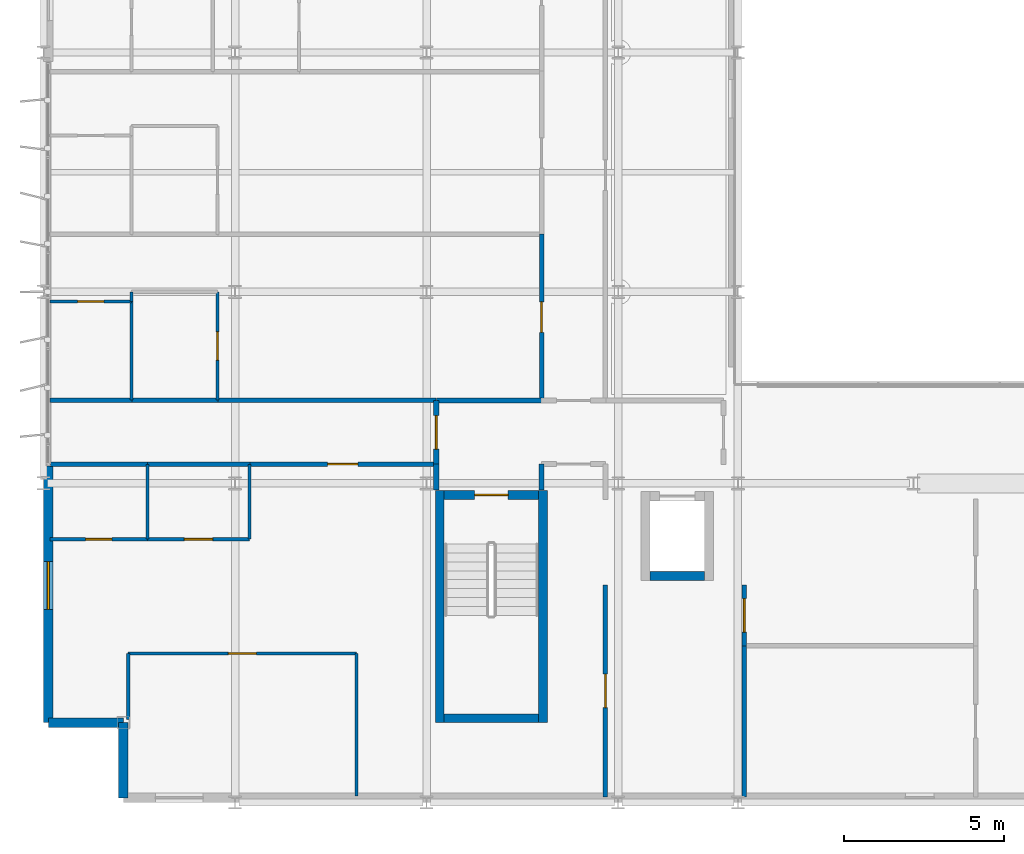
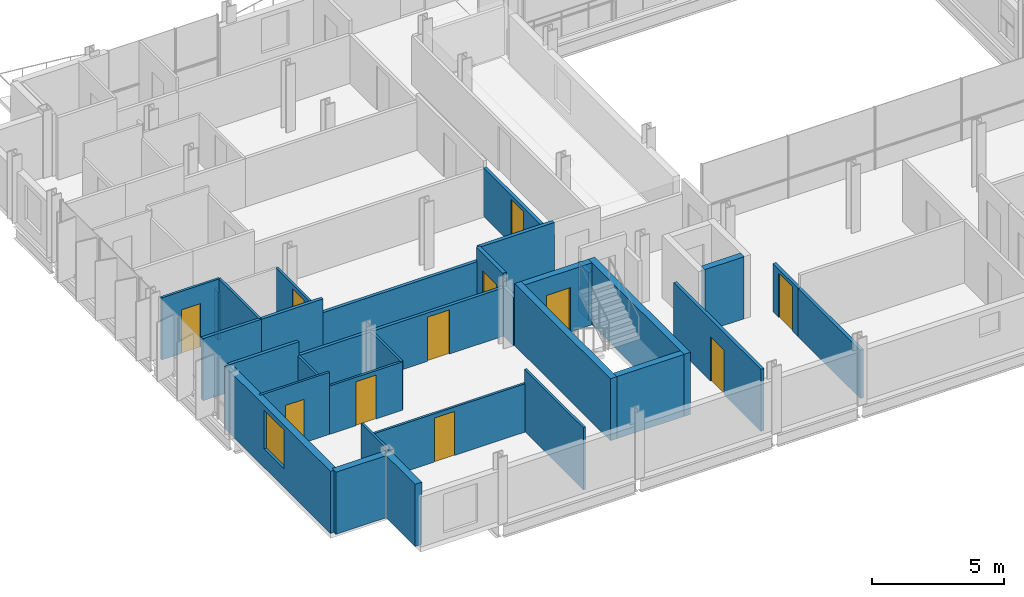
# One storey, part 29 of 39: 33 walls, 11 doors, 1 window, 12 openings.
"""IFC4 building model written with IfcOpenShell, lengths in metres."""

from ifc_helpers import new_model, si_unit, direction, frame, frame_2d, origin, place, context, subcontext, project, spatial, rectangle, extrude, material, layer, layer_set, type_object, element, fill, save


model = new_model("IFC4")

# Units and contexts
model_context = context("Model", 3, precision=1e-05, world=origin(), true_north=direction((0.0, 1.0)))
body_context = subcontext(model_context, "Body", "Model", "MODEL_VIEW")
ifc_project = project(units=[si_unit("LENGTHUNIT", "METRE"), si_unit("AREAUNIT", "SQUARE_METRE"), si_unit("VOLUMEUNIT", "CUBIC_METRE"), si_unit("PLANEANGLEUNIT", "RADIAN"), si_unit("MASSUNIT", "GRAM", prefix="KILO")], contexts=[model_context])

# Site, building, storey
site_placement = place(None, origin())
site = spatial("IfcSite", under=ifc_project, at=site_placement, CompositionType="ELEMENT")
building_placement = place(site_placement, origin())
building = spatial("IfcBuilding", under=site, at=building_placement, Name="Brevholm Reach", CompositionType="ELEMENT")
storey_placement = place(building_placement, frame((0.0, 0.0, 154.199951171875)))
storey = spatial("IfcBuildingStorey", under=building, at=storey_placement, Name="L46", CompositionType="ELEMENT", Elevation=154.199951171875)

# Walls
ifc_material_1 = material(Name="Concrete C50/60", Category="concrete")
ifc_layer_1 = layer(ifc_material_1, 0.280029296875)
ifc_layer_set_1 = layer_set([ifc_layer_1], Name="Concrete C50/60")
wall_type_1 = type_object("IfcWallType", Name="WAL-COR-280", PredefinedType="SHEAR", material=ifc_layer_set_1)
for number, where, z_axis, x_axis, name in (
    (1, (12.409912109375, 2.5, 0.0), (0.0, 0.0, 1.0), (0.0, 1.0, 0.0), "L46 Escape Stair ST-1 Core Wall W"),
    (2, (15.639892578125, 2.5, 0.0), (0.0, 0.0, 1.0), (0.0, 1.0, 0.0), "L46 Escape Stair ST-1 Core Wall E"),
):
    element("IfcWall", number, at=place(storey_placement, frame(where, z_axis=z_axis, x_axis=x_axis)), inside=storey, type_object=wall_type_1, Name=name, PredefinedType="SHEAR", context=body_context, shape_type="SweptSolid", body=[
        extrude(rectangle(XDim=7.280029296875, YDim=0.280029296875, at=frame_2d((3.64013671875, 0.0))), origin(), (0.0, 0.0, 1.0), 2.880126953125),
    ])
wall_1_placement = place(storey_placement, frame((12.550048828125, 2.639892578125, 0.0), z_axis=(0.0, 0.0, 1.0), x_axis=(1.0, 0.0, 0.0)))
element("IfcWall", 3, at=wall_1_placement, inside=storey, type_object=wall_type_1, Name="L46 Escape Stair ST-1 Core Wall S", PredefinedType="SHEAR", context=body_context, shape_type="SweptSolid", body=[
    extrude(rectangle(XDim=2.949951171875, YDim=0.280029296875, at=frame_2d((1.47509765625, 0.0))), origin(), (0.0, 0.0, 1.0), 2.880126953125),
])

# Wall, opening, door
wall_2_placement = place(storey_placement, frame((15.5, 9.639892578125, 0.0), z_axis=(0.0, 0.0, 1.0), x_axis=(-1.0, 0.0, 0.0)))
wall_2 = element("IfcWall", 4, at=wall_2_placement, inside=storey, type_object=wall_type_1, Name="L46 Escape Stair ST-1 Core Wall N", PredefinedType="SHEAR", context=body_context, shape_type="SweptSolid", body=[
    extrude(rectangle(XDim=2.949951171875, YDim=0.280029296875, at=frame_2d((1.47509765625, 0.0))), origin(), (0.0, 0.0, 1.0), 2.880126953125),
])
opening_1_placement = place(wall_2_placement, frame((0.949951171875, 0.0, 0.0)))
opening_1 = element("IfcOpeningElement", 5, at=opening_1_placement, cuts=wall_2, Name="Opening SD-ST-1", PredefinedType="OPENING", context=body_context, shape_type="SweptSolid", body=[
    extrude(rectangle(XDim=1.050048828125, YDim=2.06005859375, at=frame_2d((0.52490234375, 1.030029296875))), frame((0.0, 0.14990234375, 0.0), z_axis=(0.0, -1.0, 0.0), x_axis=(1.0, 0.0, 0.0)), (0.0, 0.0, 1.0), 0.300048828125),
])
ifc_material_2 = material(Name="Hardwood-Lipped Steel-Core Fire and Smoke Door", Category="steel")
door_type_1 = type_object("IfcDoorType", Name="DOR-INT-FD60S", OperationType="NOTDEFINED", PredefinedType="DOOR", material=ifc_material_2)
door_1_placement = place(opening_1_placement, origin())
door_1 = element("IfcDoor", 6, at=door_1_placement, inside=storey, type_object=door_type_1, Name="L46 Protected Stair ST-1 Lobby Door", OperationType="SINGLE_SWING_RIGHT", OverallHeight=2.06005859375, OverallWidth=1.050048828125, PredefinedType="DOOR", context=body_context, shape_type="SweptSolid", body=[
    extrude(rectangle(XDim=1.050048828125, YDim=2.06005859375, at=frame_2d((0.52490234375, 1.030029296875))), frame((0.0, 0.02490234375, 0.0), z_axis=(0.0, -1.0, 0.0), x_axis=(1.0, 0.0, 0.0)), (0.0, 0.0, 1.0), 0.050048828125),
])
fill(opening_1, door_1)

# Walls
wall_3_placement = place(storey_placement, frame((18.989990234375, 7.10009765625, 0.0), z_axis=(0.0, 0.0, 1.0), x_axis=(1.0, 0.0, 0.0)))
element("IfcWall", 7, at=wall_3_placement, inside=storey, type_object=wall_type_1, Name="L46 Lift FFL-1 Shaft Wall S", PredefinedType="SHEAR", context=body_context, shape_type="SweptSolid", body=[
    extrude(rectangle(XDim=1.719970703125, YDim=0.280029296875, at=frame_2d((0.85986328125, 0.0))), origin(), (0.0, 0.0, 1.0), 2.880126953125),
])
ifc_material_3 = material(Name="Concrete C40/50", Category="concrete")
ifc_layer_2 = layer(ifc_material_3, 0.300048828125)
ifc_layer_set_2 = layer_set([ifc_layer_2], Name="Concrete C40/50")
wall_type_2 = type_object("IfcWallType", Name="WAL-EXT-300", PredefinedType="STANDARD", material=ifc_layer_set_2)
for number, where, z_axis, x_axis, name in (
    (8, (2.5, 2.5, 0.0), (0.0, 0.0, 1.0), (0.0, -1.0, 0.0), "L46 Facade Wall WAL-L46-CSW1"),
    (9, (0.14990234375, 2.5, 0.0), (0.0, 0.0, 1.0), (1.0, 0.0, 0.0), "L46 Facade Wall WAL-L46-CSW2"),
):
    element("IfcWall", number, at=place(storey_placement, frame(where, z_axis=z_axis, x_axis=x_axis)), inside=storey, type_object=wall_type_2, Name=name, PredefinedType="STANDARD", context=body_context, shape_type="SweptSolid", body=[
        extrude(rectangle(XDim=2.35009765625, YDim=0.300048828125, at=frame_2d((1.175048828125, 0.0))), origin(), (0.0, 0.0, 1.0), 2.880126953125),
    ])

# Wall, opening, window
wall_4_placement = place(storey_placement, frame((0.14990234375, 10.550048828125, 0.0), z_axis=(0.0, 0.0, 1.0), x_axis=(0.0, -1.0, 0.0)))
wall_4 = element("IfcWall", 10, at=wall_4_placement, inside=storey, type_object=wall_type_2, Name="L46 Facade Wall WAL-L46-W-S", PredefinedType="STANDARD", context=body_context, shape_type="SweptSolid", body=[
    extrude(rectangle(XDim=8.050048828125, YDim=0.300048828125, at=frame_2d((4.02490234375, 0.0))), origin(), (0.0, 0.0, 1.0), 2.880126953125),
])
opening_2_placement = place(wall_4_placement, frame((3.0, 0.0, 0.860107421875)))
opening_2 = element("IfcOpeningElement", 11, at=opening_2_placement, cuts=wall_4, Name="Opening WN-05", PredefinedType="OPENING", context=body_context, shape_type="SweptSolid", body=[
    extrude(rectangle(XDim=1.5, YDim=1.800048828125, at=frame_2d((0.75, 0.89990234375))), frame((0.0, 0.159912109375, 0.0), z_axis=(0.0, -1.0, 0.0), x_axis=(1.0, 0.0, 0.0)), (0.0, 0.0, 1.0), 0.320068359375),
])
ifc_material_4 = material(Name="Dark Anodised Aluminium and Solar-Control IGU Glass", Category="aluminium")
window_type = type_object("IfcWindowType", Name="WIN-RES-1500", PartitioningType="SINGLE_PANEL", PredefinedType="WINDOW", material=ifc_material_4)
window_placement = place(opening_2_placement, origin())
window = element("IfcWindow", 12, at=window_placement, inside=storey, type_object=window_type, Name="L46 Window WIN-L46-WS-1", OverallHeight=1.800048828125, OverallWidth=1.5, PartitioningType="SINGLE_PANEL", PredefinedType="WINDOW", context=body_context, shape_type="SweptSolid", body=[
    extrude(rectangle(XDim=1.5, YDim=1.800048828125, at=frame_2d((0.75, 0.89990234375))), frame((0.0, 0.030029296875, 0.0), z_axis=(0.0, -1.0, 0.0), x_axis=(1.0, 0.0, 0.0)), (0.0, 0.0, 1.0), 0.06005859375),
])
fill(opening_2, window)

# Wall
ifc_material_5 = material(Name="Moisture-Resistant Acoustic Gypsum Stud Partition 100 mm", Category="gypsum")
ifc_layer_3 = layer(ifc_material_5, 0.10009765625)
ifc_layer_set_3 = layer_set([ifc_layer_3], Name="Moisture-Resistant Acoustic Gypsum Stud Partition 100 mm")
wall_type_3 = type_object("IfcWallType", Name="WAL-PRT-100", PredefinedType="PARTITIONING", material=ifc_layer_set_3)
wall_5_placement = place(storey_placement, frame((3.25, 8.25, 0.0), z_axis=(0.0, 0.0, 1.0), x_axis=(0.0, 1.0, 0.0)))
element("IfcWall", 13, at=wall_5_placement, inside=storey, type_object=wall_type_3, Name="L46 Internal Partition 062", PredefinedType="PARTITIONING", context=body_context, shape_type="SweptSolid", body=[
    extrude(rectangle(XDim=2.345947265625, YDim=0.10009765625, at=frame_2d((1.1728515625, 0.0))), origin(), (0.0, 0.0, 1.0), 2.242919921875),
])

# Wall, opening, door
wall_6_placement = place(storey_placement, frame((0.199951171875, 8.25, 0.0), z_axis=(0.0, 0.0, 1.0), x_axis=(1.0, 0.0, 0.0)))
wall_6 = element("IfcWall", 14, at=wall_6_placement, inside=storey, type_object=wall_type_3, Name="L46 Internal Partition 063", PredefinedType="PARTITIONING", context=body_context, shape_type="SweptSolid", body=[
    extrude(rectangle(XDim=3.050048828125, YDim=0.10009765625, at=frame_2d((1.52490234375, 0.0))), origin(), (0.0, 0.0, 1.0), 2.880126953125),
])
opening_3_placement = place(wall_6_placement, frame((1.114990234375, 0.0, 0.0)))
opening_3 = element("IfcOpeningElement", 15, at=opening_3_placement, cuts=wall_6, Name="Opening ID-03", PredefinedType="OPENING", context=body_context, shape_type="SweptSolid", body=[
    extrude(rectangle(XDim=0.820068359375, YDim=2.02001953125, at=frame_2d((0.41015625, 1.010009765625))), frame((0.0, 0.06005859375, 0.0), z_axis=(0.0, -1.0, 0.0), x_axis=(1.0, 0.0, 0.0)), (0.0, 0.0, 1.0), 0.1201171875),
])
ifc_material_6 = material(Name="Moisture-Resistant Painted Timber Internal Bathroom Door", Category="wood")
door_type_2 = type_object("IfcDoorType", Name="DOR-BATH-820", OperationType="NOTDEFINED", PredefinedType="DOOR", material=ifc_material_6)
door_2_placement = place(opening_3_placement, origin())
door_2 = element("IfcDoor", 16, at=door_2_placement, inside=storey, type_object=door_type_2, Name="L46 Internal Door 031", OperationType="SINGLE_SWING_LEFT", OverallHeight=2.02001953125, OverallWidth=0.820068359375, PredefinedType="DOOR", context=body_context, shape_type="SweptSolid", body=[
    extrude(rectangle(XDim=0.820068359375, YDim=2.02001953125, at=frame_2d((0.41015625, 1.010009765625))), frame((0.0, 0.02490234375, 0.0), z_axis=(0.0, -1.0, 0.0), x_axis=(1.0, 0.0, 0.0)), (0.0, 0.0, 1.0), 0.050048828125),
])
fill(opening_3, door_2)

wall_7_placement = place(storey_placement, frame((3.25390625, 8.25, 0.0), z_axis=(0.0, 0.0, 1.0), x_axis=(1.0, 0.0, 0.0)))
wall_7 = element("IfcWall", 17, at=wall_7_placement, inside=storey, type_object=wall_type_3, Name="L46 Internal Partition 064", PredefinedType="PARTITIONING", context=body_context, shape_type="SweptSolid", body=[
    extrude(rectangle(XDim=3.196044921875, YDim=0.10009765625, at=frame_2d((1.59814453125, 0.0))), origin(), (0.0, 0.0, 1.0), 2.242919921875),
])
opening_4_placement = place(wall_7_placement, frame((1.157958984375, 0.0, 0.0)))
opening_4 = element("IfcOpeningElement", 18, at=opening_4_placement, cuts=wall_7, Name="Opening ID-01", PredefinedType="OPENING", context=body_context, shape_type="SweptSolid", body=[
    extrude(rectangle(XDim=0.8798828125, YDim=2.0400390625, at=frame_2d((0.43994140625, 1.02001953125))), frame((0.0, 0.06005859375, 0.0), z_axis=(0.0, -1.0, 0.0), x_axis=(1.0, 0.0, 0.0)), (0.0, 0.0, 1.0), 0.1201171875),
])
ifc_material_7 = material(Name="Lacquered Ash Solid-Core Acoustic Internal Door", Category="timber")
door_type_3 = type_object("IfcDoorType", Name="DOR-INT-880", OperationType="NOTDEFINED", PredefinedType="DOOR", material=ifc_material_7)
door_3_placement = place(opening_4_placement, origin())
door_3 = element("IfcDoor", 19, at=door_3_placement, inside=storey, type_object=door_type_3, Name="L46 Internal Door 032", OperationType="SINGLE_SWING_RIGHT", OverallHeight=2.0400390625, OverallWidth=0.8798828125, PredefinedType="DOOR", context=body_context, shape_type="SweptSolid", body=[
    extrude(rectangle(XDim=0.8798828125, YDim=2.0400390625, at=frame_2d((0.43994140625, 1.02001953125))), frame((0.0, 0.02490234375, 0.0), z_axis=(0.0, -1.0, 0.0), x_axis=(1.0, 0.0, 0.0)), (0.0, 0.0, 1.0), 0.050048828125),
])
fill(opening_4, door_3)

# Walls
wall_8_placement = place(storey_placement, frame((6.449951171875, 8.25, 0.0), z_axis=(0.0, 0.0, 1.0), x_axis=(0.0, 1.0, 0.0)))
element("IfcWall", 20, at=wall_8_placement, inside=storey, type_object=wall_type_3, Name="L46 Internal Partition 065", PredefinedType="PARTITIONING", context=body_context, shape_type="SweptSolid", body=[
    extrude(rectangle(XDim=2.345947265625, YDim=0.10009765625, at=frame_2d((1.1728515625, 0.0))), origin(), (0.0, 0.0, 1.0), 2.242919921875),
])
wall_9_placement = place(storey_placement, frame((2.64990234375, 2.599365234375, 0.0), z_axis=(0.0, 0.0, 1.0), x_axis=(0.0, 1.0, 0.0)))
element("IfcWall", 21, at=wall_9_placement, inside=storey, type_object=wall_type_3, Name="L46 Internal Partition 066", PredefinedType="PARTITIONING", context=body_context, shape_type="SweptSolid", body=[
    extrude(rectangle(XDim=2.07275390625, YDim=0.10009765625, at=frame_2d((1.036376953125, 0.0))), origin(), (0.0, 0.0, 1.0), 2.880126953125),
])
wall_10_placement = place(storey_placement, frame((9.805908203125, 0.199951171875, 0.0), z_axis=(0.0, 0.0, 1.0), x_axis=(0.0, 1.0, 0.0)))
element("IfcWall", 22, at=wall_10_placement, inside=storey, type_object=wall_type_3, Name="L46 Internal Partition 067", PredefinedType="PARTITIONING", context=body_context, shape_type="SweptSolid", body=[
    extrude(rectangle(XDim=4.47216796875, YDim=0.10009765625, at=frame_2d((2.236083984375, 0.0))), origin(), (0.0, 0.0, 1.0), 2.880126953125),
])

# Wall, opening, door
wall_11_placement = place(storey_placement, frame((2.64990234375, 4.672119140625, 0.0), z_axis=(0.0, 0.0, 1.0), x_axis=(1.0, 0.0, 0.0)))
wall_11 = element("IfcWall", 23, at=wall_11_placement, inside=storey, type_object=wall_type_3, Name="L46 Internal Partition 068", PredefinedType="PARTITIONING", context=body_context, shape_type="SweptSolid", body=[
    extrude(rectangle(XDim=7.156005859375, YDim=0.10009765625, at=frame_2d((3.578125, 0.0))), origin(), (0.0, 0.0, 1.0), 2.242919921875),
])
opening_5_placement = place(wall_11_placement, frame((3.137939453125, 0.0, 0.0)))
opening_5 = element("IfcOpeningElement", 24, at=opening_5_placement, cuts=wall_11, Name="Opening ID-01", PredefinedType="OPENING", context=body_context, shape_type="SweptSolid", body=[
    extrude(rectangle(XDim=0.8798828125, YDim=2.0400390625, at=frame_2d((0.43994140625, 1.02001953125))), frame((0.0, 0.06005859375, 0.0), z_axis=(0.0, -1.0, 0.0), x_axis=(1.0, 0.0, 0.0)), (0.0, 0.0, 1.0), 0.1201171875),
])
door_4_placement = place(opening_5_placement, origin())
door_4 = element("IfcDoor", 25, at=door_4_placement, inside=storey, type_object=door_type_3, Name="L46 Internal Door 033", OperationType="SINGLE_SWING_LEFT", OverallHeight=2.0400390625, OverallWidth=0.8798828125, PredefinedType="DOOR", context=body_context, shape_type="SweptSolid", body=[
    extrude(rectangle(XDim=0.8798828125, YDim=2.0400390625, at=frame_2d((0.43994140625, 1.02001953125))), frame((0.0, 0.02490234375, 0.0), z_axis=(0.0, -1.0, 0.0), x_axis=(1.0, 0.0, 0.0)), (0.0, 0.0, 1.0), 0.050048828125),
])
fill(opening_5, door_4)

# Wall
wall_12_placement = place(storey_placement, frame((2.75, 12.60400390625, 0.0), z_axis=(0.0, 0.0, 1.0), x_axis=(0.0, 1.0, 0.0)))
element("IfcWall", 26, at=wall_12_placement, inside=storey, type_object=wall_type_3, Name="L46 Internal Partition 069", PredefinedType="PARTITIONING", context=body_context, shape_type="SweptSolid", body=[
    extrude(rectangle(XDim=3.095947265625, YDim=0.10009765625, at=frame_2d((1.5478515625, 0.0))), origin(), (0.0, 0.0, 1.0), 2.880126953125),
])

# Wall, opening, door
wall_13_placement = place(storey_placement, frame((0.199951171875, 15.699951171875, 0.0), z_axis=(0.0, 0.0, 1.0), x_axis=(1.0, 0.0, 0.0)))
wall_13 = element("IfcWall", 27, at=wall_13_placement, inside=storey, type_object=wall_type_3, Name="L46 Internal Partition 070", PredefinedType="PARTITIONING", context=body_context, shape_type="SweptSolid", body=[
    extrude(rectangle(XDim=2.550048828125, YDim=0.10009765625, at=frame_2d((1.27490234375, 0.0))), origin(), (0.0, 0.0, 1.0), 2.880126953125),
])
opening_6_placement = place(wall_13_placement, frame((0.864990234375, 0.0, 0.0)))
opening_6 = element("IfcOpeningElement", 28, at=opening_6_placement, cuts=wall_13, Name="Opening ID-03", PredefinedType="OPENING", context=body_context, shape_type="SweptSolid", body=[
    extrude(rectangle(XDim=0.820068359375, YDim=2.02001953125, at=frame_2d((0.41015625, 1.010009765625))), frame((0.0, 0.06005859375, 0.0), z_axis=(0.0, -1.0, 0.0), x_axis=(1.0, 0.0, 0.0)), (0.0, 0.0, 1.0), 0.1201171875),
])
door_5_placement = place(opening_6_placement, origin())
door_5 = element("IfcDoor", 29, at=door_5_placement, inside=storey, type_object=door_type_2, Name="L46 Internal Door 034", OperationType="SINGLE_SWING_RIGHT", OverallHeight=2.02001953125, OverallWidth=0.820068359375, PredefinedType="DOOR", context=body_context, shape_type="SweptSolid", body=[
    extrude(rectangle(XDim=0.820068359375, YDim=2.02001953125, at=frame_2d((0.41015625, 1.010009765625))), frame((0.0, 0.02490234375, 0.0), z_axis=(0.0, -1.0, 0.0), x_axis=(1.0, 0.0, 0.0)), (0.0, 0.0, 1.0), 0.050048828125),
])
fill(opening_6, door_5)

wall_14_placement = place(storey_placement, frame((5.449951171875, 12.60400390625, 0.0), z_axis=(0.0, 0.0, 1.0), x_axis=(0.0, 1.0, 0.0)))
wall_14 = element("IfcWall", 30, at=wall_14_placement, inside=storey, type_object=wall_type_3, Name="L46 Internal Partition 071", PredefinedType="PARTITIONING", context=body_context, shape_type="SweptSolid", body=[
    extrude(rectangle(XDim=3.39599609375, YDim=0.10009765625, at=frame_2d((1.697998046875, 0.0))), origin(), (0.0, 0.0, 1.0), 2.242919921875),
])
opening_7_placement = place(wall_14_placement, frame((1.258056640625, 0.0, 0.0)))
opening_7 = element("IfcOpeningElement", 31, at=opening_7_placement, cuts=wall_14, Name="Opening ID-01", PredefinedType="OPENING", context=body_context, shape_type="SweptSolid", body=[
    extrude(rectangle(XDim=0.8798828125, YDim=2.0400390625, at=frame_2d((0.43994140625, 1.02001953125))), frame((0.0, 0.06005859375, 0.0), z_axis=(0.0, -1.0, 0.0), x_axis=(1.0, 0.0, 0.0)), (0.0, 0.0, 1.0), 0.1201171875),
])
door_6_placement = place(opening_7_placement, origin())
door_6 = element("IfcDoor", 32, at=door_6_placement, inside=storey, type_object=door_type_3, Name="L46 Internal Door 035", OperationType="SINGLE_SWING_LEFT", OverallHeight=2.0400390625, OverallWidth=0.8798828125, PredefinedType="DOOR", context=body_context, shape_type="SweptSolid", body=[
    extrude(rectangle(XDim=0.8798828125, YDim=2.0400390625, at=frame_2d((0.43994140625, 1.02001953125))), frame((0.0, 0.02490234375, 0.0), z_axis=(0.0, -1.0, 0.0), x_axis=(1.0, 0.0, 0.0)), (0.0, 0.0, 1.0), 0.050048828125),
])
fill(opening_7, door_6)

# Walls
wall_15_placement = place(storey_placement, frame((2.75, 15.7041015625, 0.0), z_axis=(0.0, 0.0, 1.0), x_axis=(0.0, 1.0, 0.0)))
element("IfcWall", 33, at=wall_15_placement, inside=storey, type_object=wall_type_3, Name="L46 Internal Partition 073", PredefinedType="PARTITIONING", context=body_context, shape_type="SweptSolid", body=[
    extrude(rectangle(XDim=0.2958984375, YDim=0.10009765625, at=frame_2d((0.14794921875, 0.0))), origin(), (0.0, 0.0, 1.0), 2.242919921875),
])
ifc_material_8 = material(Name="Twin-Stud Acoustic Fire-Rated Gypsum Partition 140 mm", Category="gypsum")
ifc_layer_4 = layer(ifc_material_8, 0.139892578125)
ifc_layer_set_4 = layer_set([ifc_layer_4], Name="Twin-Stud Acoustic Fire-Rated Gypsum Partition 140 mm")
wall_type_4 = type_object("IfcWallType", Name="WAL-PRT-140", PredefinedType="PARTITIONING", material=ifc_layer_set_4)
wall_16_placement = place(storey_placement, frame((21.949951171875, 0.179931640625, 0.0), z_axis=(0.0, 0.0, 1.0), x_axis=(0.0, 1.0, 0.0)))
element("IfcWall", 34, at=wall_16_placement, inside=storey, type_object=wall_type_4, Name="L46 Internal Partition 007", PredefinedType="PARTITIONING", context=body_context, shape_type="SweptSolid", body=[
    extrude(rectangle(XDim=4.72705078125, YDim=0.139892578125, at=frame_2d((2.363525390625, 0.0))), origin(), (0.0, 0.0, 1.0), 2.242919921875),
])

# Wall, opening, door
wall_17_placement = place(storey_placement, frame((21.949951171875, 4.910888671875, 0.0), z_axis=(0.0, 0.0, 1.0), x_axis=(0.0, 1.0, 0.0)))
wall_17 = element("IfcWall", 35, at=wall_17_placement, inside=storey, type_object=wall_type_4, Name="L46 Internal Partition 008", PredefinedType="PARTITIONING", context=body_context, shape_type="SweptSolid", body=[
    extrude(rectangle(XDim=1.900390625, YDim=0.139892578125, at=frame_2d((0.9501953125, 0.0))), origin(), (0.0, 0.0, 1.0), 2.242919921875),
])
opening_8_placement = place(wall_17_placement, frame((0.42529296875, 0.0, 0.0)))
opening_8 = element("IfcOpeningElement", 36, at=opening_8_placement, cuts=wall_17, Name="Opening FD-01", PredefinedType="OPENING", context=body_context, shape_type="SweptSolid", body=[
    extrude(rectangle(XDim=1.050048828125, YDim=2.06005859375, at=frame_2d((0.52490234375, 1.030029296875))), frame((0.0, 0.079833984375, 0.0), z_axis=(0.0, -1.0, 0.0), x_axis=(1.0, 0.0, 0.0)), (0.0, 0.0, 1.0), 0.159912109375),
])
door_7_placement = place(opening_8_placement, origin())
door_7 = element("IfcDoor", 37, at=door_7_placement, inside=storey, type_object=door_type_1, Name="L46 Internal Door 006", OperationType="SINGLE_SWING_RIGHT", OverallHeight=2.06005859375, OverallWidth=1.050048828125, PredefinedType="DOOR", context=body_context, shape_type="SweptSolid", body=[
    extrude(rectangle(XDim=1.050048828125, YDim=2.06005859375, at=frame_2d((0.52490234375, 1.030029296875))), frame((0.0, 0.02490234375, 0.0), z_axis=(0.0, -1.0, 0.0), x_axis=(1.0, 0.0, 0.0)), (0.0, 0.0, 1.0), 0.050048828125),
])
fill(opening_8, door_7)

wall_18_placement = place(storey_placement, frame((17.60009765625, 0.179931640625, 0.0), z_axis=(0.0, 0.0, 1.0), x_axis=(0.0, 1.0, 0.0)))
wall_18 = element("IfcWall", 38, at=wall_18_placement, inside=storey, type_object=wall_type_4, Name="L46 Internal Partition 018", PredefinedType="PARTITIONING", context=body_context, shape_type="SweptSolid", body=[
    extrude(rectangle(XDim=6.63134765625, YDim=0.139892578125, at=frame_2d((3.315673828125, 0.0))), origin(), (0.0, 0.0, 1.0), 2.880126953125),
])
opening_9_placement = place(wall_18_placement, frame((2.790771484375, 0.0, 0.0)))
opening_9 = element("IfcOpeningElement", 39, at=opening_9_placement, cuts=wall_18, Name="Opening FD-01", PredefinedType="OPENING", context=body_context, shape_type="SweptSolid", body=[
    extrude(rectangle(XDim=1.050048828125, YDim=2.06005859375, at=frame_2d((0.52490234375, 1.030029296875))), frame((0.0, 0.079833984375, 0.0), z_axis=(0.0, -1.0, 0.0), x_axis=(1.0, 0.0, 0.0)), (0.0, 0.0, 1.0), 0.159912109375),
])
door_8_placement = place(opening_9_placement, origin())
door_8 = element("IfcDoor", 40, at=door_8_placement, inside=storey, type_object=door_type_1, Name="L46 Internal Door 011", OperationType="SINGLE_SWING_LEFT", OverallHeight=2.06005859375, OverallWidth=1.050048828125, PredefinedType="DOOR", context=body_context, shape_type="SweptSolid", body=[
    extrude(rectangle(XDim=1.050048828125, YDim=2.06005859375, at=frame_2d((0.52490234375, 1.030029296875))), frame((0.0, 0.02490234375, 0.0), z_axis=(0.0, -1.0, 0.0), x_axis=(1.0, 0.0, 0.0)), (0.0, 0.0, 1.0), 0.050048828125),
])
fill(opening_9, door_8)

wall_19_placement = place(storey_placement, frame((15.60009765625, 12.60400390625, 0.0), z_axis=(0.0, 0.0, 1.0), x_axis=(0.0, 1.0, 0.0)))
wall_19 = element("IfcWall", 41, at=wall_19_placement, inside=storey, type_object=wall_type_4, Name="L46 Internal Partition 038", PredefinedType="PARTITIONING", context=body_context, shape_type="SweptSolid", body=[
    extrude(rectangle(XDim=5.207275390625, YDim=0.139892578125, at=frame_2d((2.603515625, 0.0))), origin(), (0.0, 0.0, 1.0), 2.242919921875),
])
opening_10_placement = place(wall_19_placement, frame((2.128662109375, 0.0, 0.0)))
opening_10 = element("IfcOpeningElement", 42, at=opening_10_placement, cuts=wall_19, Name="Opening ID-30", PredefinedType="OPENING", context=body_context, shape_type="SweptSolid", body=[
    extrude(rectangle(XDim=0.949951171875, YDim=2.050048828125, at=frame_2d((0.47509765625, 1.02490234375))), frame((0.0, 0.079833984375, 0.0), z_axis=(0.0, -1.0, 0.0), x_axis=(1.0, 0.0, 0.0)), (0.0, 0.0, 1.0), 0.159912109375),
])
ifc_material_9 = material(Name="European Oak Veneered Solid-Core Fire Entrance Door", Category="timber")
door_type_4 = type_object("IfcDoorType", Name="DOR-FLT-FD30S", OperationType="NOTDEFINED", PredefinedType="DOOR", material=ifc_material_9)
door_9_placement = place(opening_10_placement, origin())
door_9 = element("IfcDoor", 43, at=door_9_placement, inside=storey, type_object=door_type_4, Name="L46 Internal Door 021", OperationType="SINGLE_SWING_LEFT", OverallHeight=2.050048828125, OverallWidth=0.949951171875, PredefinedType="DOOR", context=body_context, shape_type="SweptSolid", body=[
    extrude(rectangle(XDim=0.949951171875, YDim=2.050048828125, at=frame_2d((0.47509765625, 1.02490234375))), frame((0.0, 0.02490234375, 0.0), z_axis=(0.0, -1.0, 0.0), x_axis=(1.0, 0.0, 0.0)), (0.0, 0.0, 1.0), 0.050048828125),
])
fill(opening_10, door_9)

# Walls
wall_20_placement = place(storey_placement, frame((0.199951171875, 10.60009765625, 0.0), z_axis=(0.0, 0.0, 1.0), x_axis=(1.0, 0.0, 0.0)))
element("IfcWall", 44, at=wall_20_placement, inside=storey, type_object=wall_type_4, Name="L46 Internal Partition 056", PredefinedType="PARTITIONING", context=body_context, shape_type="SweptSolid", body=[
    extrude(rectangle(XDim=3.061279296875, YDim=0.139892578125, at=frame_2d((1.53076171875, 0.0))), origin(), (0.0, 0.0, 1.0), 2.880126953125),
])
wall_21_placement = place(storey_placement, frame((3.24267578125, 10.60009765625, 0.0), z_axis=(0.0, 0.0, 1.0), x_axis=(1.0, 0.0, 0.0)))
element("IfcWall", 45, at=wall_21_placement, inside=storey, type_object=wall_type_4, Name="L46 Internal Partition 057", PredefinedType="PARTITIONING", context=body_context, shape_type="SweptSolid", body=[
    extrude(rectangle(XDim=3.218505859375, YDim=0.139892578125, at=frame_2d((1.609375, 0.0))), origin(), (0.0, 0.0, 1.0), 2.242919921875),
])

# Wall, opening, door
wall_22_placement = place(storey_placement, frame((6.442626953125, 10.60009765625, 0.0), z_axis=(0.0, 0.0, 1.0), x_axis=(1.0, 0.0, 0.0)))
wall_22 = element("IfcWall", 46, at=wall_22_placement, inside=storey, type_object=wall_type_4, Name="L46 Internal Partition 058", PredefinedType="PARTITIONING", context=body_context, shape_type="SweptSolid", body=[
    extrude(rectangle(XDim=5.853271484375, YDim=0.139892578125, at=frame_2d((2.9267578125, 0.0))), origin(), (0.0, 0.0, 1.0), 2.242919921875),
])
opening_11_placement = place(wall_22_placement, frame((2.45166015625, 0.0, 0.0)))
opening_11 = element("IfcOpeningElement", 47, at=opening_11_placement, cuts=wall_22, Name="Opening ID-30", PredefinedType="OPENING", context=body_context, shape_type="SweptSolid", body=[
    extrude(rectangle(XDim=0.949951171875, YDim=2.050048828125, at=frame_2d((0.47509765625, 1.02490234375))), frame((0.0, 0.079833984375, 0.0), z_axis=(0.0, -1.0, 0.0), x_axis=(1.0, 0.0, 0.0)), (0.0, 0.0, 1.0), 0.159912109375),
])
door_10_placement = place(opening_11_placement, origin())
door_10 = element("IfcDoor", 48, at=door_10_placement, inside=storey, type_object=door_type_4, Name="L46 Internal Door 030", OperationType="SINGLE_SWING_RIGHT", OverallHeight=2.050048828125, OverallWidth=0.949951171875, PredefinedType="DOOR", context=body_context, shape_type="SweptSolid", body=[
    extrude(rectangle(XDim=0.949951171875, YDim=2.050048828125, at=frame_2d((0.47509765625, 1.02490234375))), frame((0.0, 0.02490234375, 0.0), z_axis=(0.0, -1.0, 0.0), x_axis=(1.0, 0.0, 0.0)), (0.0, 0.0, 1.0), 0.050048828125),
])
fill(opening_11, door_10)

# Walls
wall_23_placement = place(storey_placement, frame((0.199951171875, 12.60009765625, 0.0), z_axis=(0.0, 0.0, 1.0), x_axis=(1.0, 0.0, 0.0)))
element("IfcWall", 49, at=wall_23_placement, inside=storey, type_object=wall_type_4, Name="L46 Internal Partition 059", PredefinedType="PARTITIONING", context=body_context, shape_type="SweptSolid", body=[
    extrude(rectangle(XDim=2.561279296875, YDim=0.139892578125, at=frame_2d((1.28076171875, 0.0))), origin(), (0.0, 0.0, 1.0), 2.880126953125),
])
wall_24_placement = place(storey_placement, frame((2.74267578125, 12.60009765625, 0.0), z_axis=(0.0, 0.0, 1.0), x_axis=(1.0, 0.0, 0.0)))
element("IfcWall", 50, at=wall_24_placement, inside=storey, type_object=wall_type_4, Name="L46 Internal Partition 060", PredefinedType="PARTITIONING", context=body_context, shape_type="SweptSolid", body=[
    extrude(rectangle(XDim=2.718505859375, YDim=0.139892578125, at=frame_2d((1.359375, 0.0))), origin(), (0.0, 0.0, 1.0), 2.880126953125),
])
wall_25_placement = place(storey_placement, frame((5.442626953125, 12.60009765625, 0.0), z_axis=(0.0, 0.0, 1.0), x_axis=(1.0, 0.0, 0.0)))
element("IfcWall", 51, at=wall_25_placement, inside=storey, type_object=wall_type_4, Name="L46 Internal Partition 061", PredefinedType="PARTITIONING", context=body_context, shape_type="SweptSolid", body=[
    extrude(rectangle(XDim=6.853271484375, YDim=0.139892578125, at=frame_2d((3.4267578125, 0.0))), origin(), (0.0, 0.0, 1.0), 2.242919921875),
])
ifc_material_10 = material(Name="Twin-Frame Fire-Rated Gypsum Board and Mineral Wool 160 mm", Category="gypsum")
ifc_layer_5 = layer(ifc_material_10, 0.159912109375)
ifc_layer_set_5 = layer_set([ifc_layer_5], Name="Twin-Frame Fire-Rated Gypsum Board and Mineral Wool 160 mm")
wall_type_5 = type_object("IfcWallType", Name="WAL-PRT-160", PredefinedType="PARTITIONING", material=ifc_layer_set_5)
wall_26_placement = place(storey_placement, frame((15.60009765625, 9.7900390625, 0.0), z_axis=(0.0, 0.0, 1.0), x_axis=(0.0, 1.0, 0.0)))
element("IfcWall", 52, at=wall_26_placement, inside=storey, type_object=wall_type_5, Name="L46 Internal Partition 019", PredefinedType="PARTITIONING", context=body_context, shape_type="SweptSolid", body=[
    extrude(rectangle(XDim=0.81005859375, YDim=0.159912109375, at=frame_2d((0.405029296875, 0.0))), origin(), (0.0, 0.0, 1.0), 2.242919921875),
])

# Wall, opening, door
wall_27_placement = place(storey_placement, frame((12.300048828125, 10.588623046875, 0.0), z_axis=(0.0, 0.0, 1.0), x_axis=(0.0, 1.0, 0.0)))
wall_27 = element("IfcWall", 53, at=wall_27_placement, inside=storey, type_object=wall_type_5, Name="L46 Internal Partition 027", PredefinedType="PARTITIONING", context=body_context, shape_type="SweptSolid", body=[
    extrude(rectangle(XDim=2.011474609375, YDim=0.159912109375, at=frame_2d((1.005859375, 0.0))), origin(), (0.0, 0.0, 1.0), 2.880126953125),
])
opening_12_placement = place(wall_27_placement, frame((0.480712890625, 0.0, 0.0)))
opening_12 = element("IfcOpeningElement", 54, at=opening_12_placement, cuts=wall_27, Name="Opening FD-01", PredefinedType="OPENING", context=body_context, shape_type="SweptSolid", body=[
    extrude(rectangle(XDim=1.050048828125, YDim=2.06005859375, at=frame_2d((0.52490234375, 1.030029296875))), frame((0.0, 0.08984375, 0.0), z_axis=(0.0, -1.0, 0.0), x_axis=(1.0, 0.0, 0.0)), (0.0, 0.0, 1.0), 0.179931640625),
])
door_11_placement = place(opening_12_placement, origin())
door_11 = element("IfcDoor", 55, at=door_11_placement, inside=storey, type_object=door_type_1, Name="L46 Internal Door 015", OperationType="SINGLE_SWING_LEFT", OverallHeight=2.06005859375, OverallWidth=1.050048828125, PredefinedType="DOOR", context=body_context, shape_type="SweptSolid", body=[
    extrude(rectangle(XDim=1.050048828125, YDim=2.06005859375, at=frame_2d((0.52490234375, 1.030029296875))), frame((0.0, 0.02490234375, 0.0), z_axis=(0.0, -1.0, 0.0), x_axis=(1.0, 0.0, 0.0)), (0.0, 0.0, 1.0), 0.050048828125),
])
fill(opening_12, door_11)

# Walls
wall_28_placement = place(storey_placement, frame((12.300048828125, 9.7900390625, 0.0), z_axis=(0.0, 0.0, 1.0), x_axis=(0.0, 1.0, 0.0)))
element("IfcWall", 56, at=wall_28_placement, inside=storey, type_object=wall_type_5, Name="L46 Internal Partition 028", PredefinedType="PARTITIONING", context=body_context, shape_type="SweptSolid", body=[
    extrude(rectangle(XDim=0.8173828125, YDim=0.159912109375, at=frame_2d((0.40869140625, 0.0))), origin(), (0.0, 0.0, 1.0), 2.242919921875),
])
wall_29_placement = place(storey_placement, frame((12.300048828125, 12.60009765625, 0.0), z_axis=(0.0, 0.0, 1.0), x_axis=(1.0, 0.0, 0.0)))
element("IfcWall", 57, at=wall_29_placement, inside=storey, type_object=wall_type_5, Name="L46 Internal Partition 029", PredefinedType="PARTITIONING", context=body_context, shape_type="SweptSolid", body=[
    extrude(rectangle(XDim=3.307373046875, YDim=0.159912109375, at=frame_2d((1.65380859375, 0.0))), origin(), (0.0, 0.0, 1.0), 2.880126953125),
])

save(model, "model.ifc")
